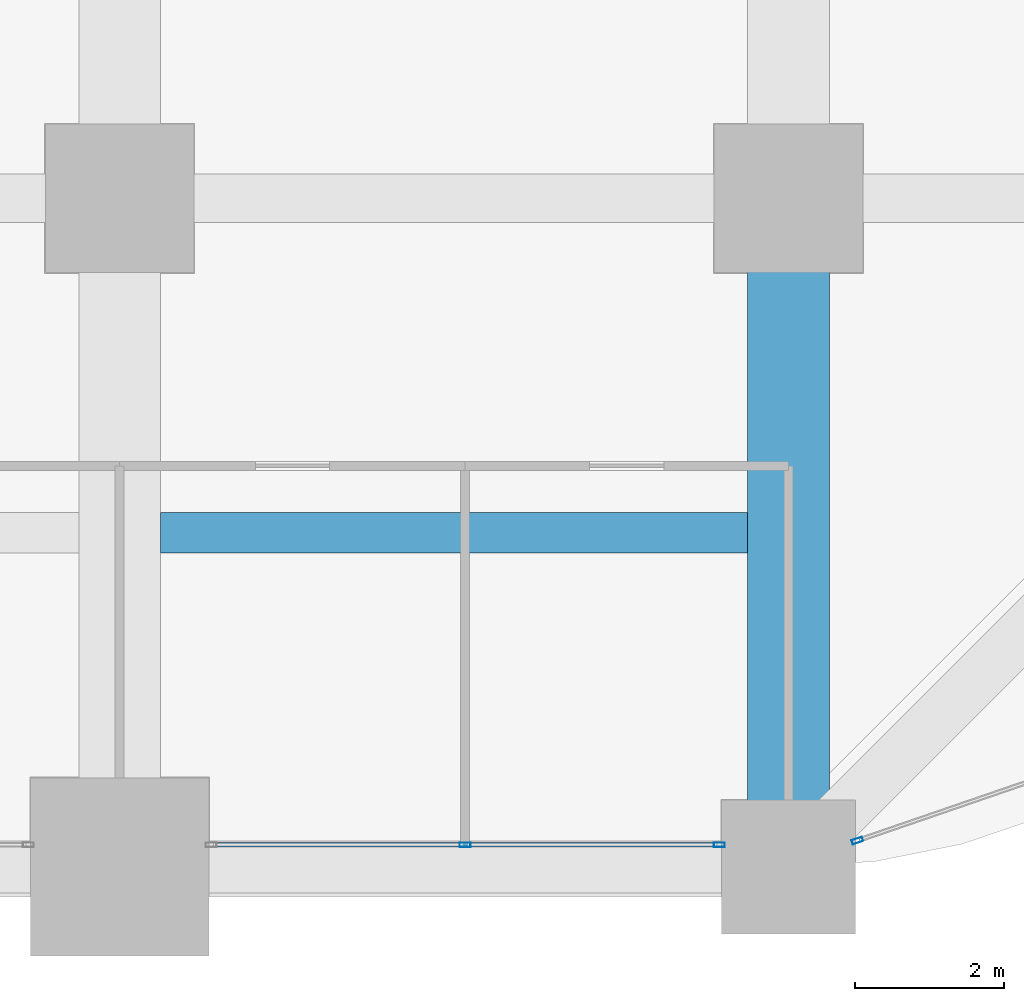
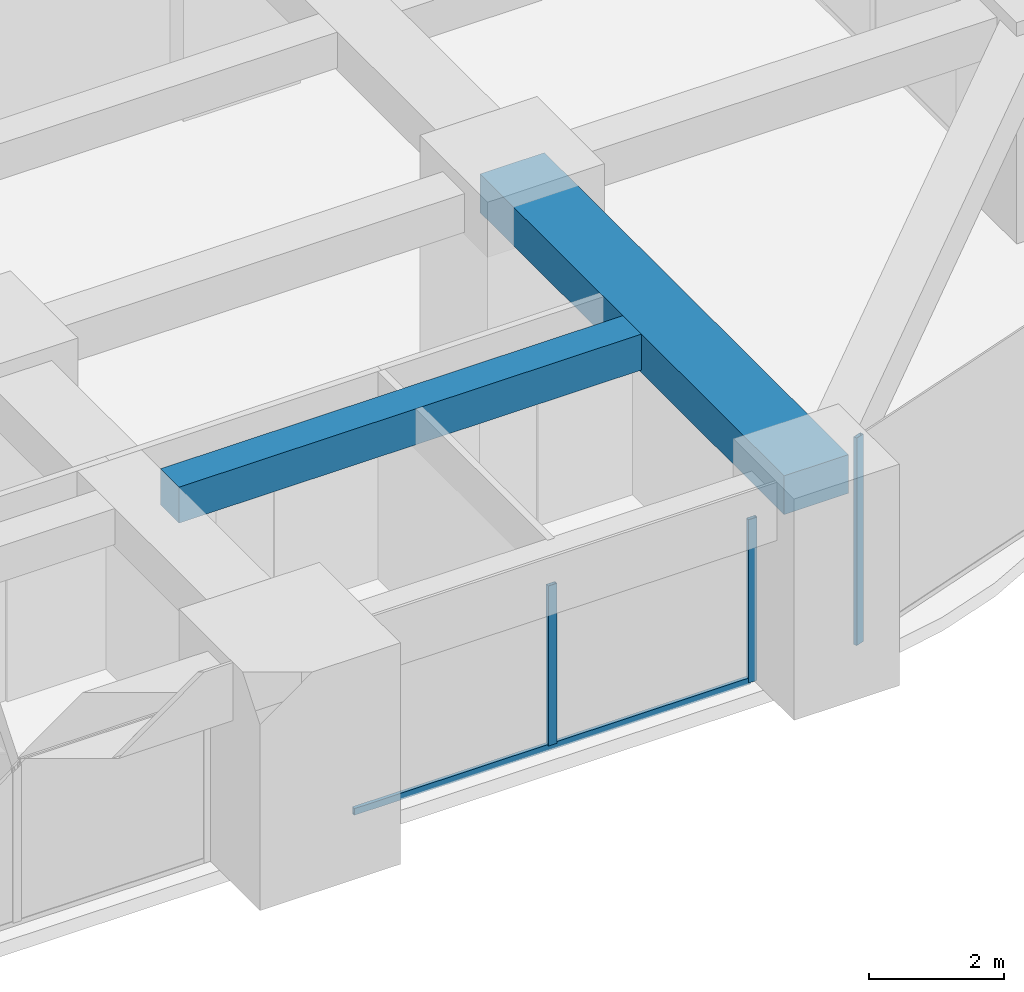
# One storey, part 16 of 41: 4 members, 2 beams, 2 elements without a shape of their own.
"""IFC4 building model written with IfcOpenShell, lengths in metres."""

from ifc_helpers import new_model, si_unit, direction, frame, origin, origin_2d, place, context, subcontext, project, spatial, rectangle, hollow_rectangle, extrude, material, material_profile, profile_set, type_object, element, aggregate, save


model = new_model("IFC4")

# Units and contexts
model_context = context("Model", 3, precision=1e-05, world=origin(), true_north=direction((0.0, 1.0)))
body_context = subcontext(model_context, "Body", "Model", "MODEL_VIEW")
ifc_project = project(units=[si_unit("LENGTHUNIT", "METRE"), si_unit("AREAUNIT", "SQUARE_METRE"), si_unit("VOLUMEUNIT", "CUBIC_METRE"), si_unit("PLANEANGLEUNIT", "RADIAN"), si_unit("MASSUNIT", "GRAM", prefix="KILO")], contexts=[model_context])

# Site, building, storey
site_placement = place(None, origin())
site = spatial("IfcSite", under=ifc_project, at=site_placement, CompositionType="ELEMENT")
building_placement = place(site_placement, origin())
building = spatial("IfcBuilding", under=site, at=building_placement, Name="Zorevar Civic Tower", CompositionType="ELEMENT")
storey_placement = place(building_placement, frame((0.0, 0.0, 105.0)))
storey = spatial("IfcBuildingStorey", under=building, at=storey_placement, Name="L25", CompositionType="ELEMENT", Elevation=105.0)

# Beams
ifc_material_1 = material(Name="Concrete C50/60", Category="concrete")
ifc_material_profile_1 = material_profile(ifc_material_1, rectangle(XDim=1.10009765625, YDim=0.699951171875, at=origin_2d()), Name="RC 1100x700")
ifc_profile_set_1 = profile_set([ifc_material_profile_1], Name="Concrete C50/60")
beam_type_1 = type_object("IfcBeamType", Name="Beam RC 1100x700", PredefinedType="BEAM", material=ifc_profile_set_1)
beam_1_placement = place(storey_placement, frame((54.0, 0.0, 3.39990234375), z_axis=(0.0, 1.0, 0.0), x_axis=(-1.0, 0.0, 0.0)))
element("IfcBeam", 1, at=beam_1_placement, inside=storey, type_object=beam_type_1, Name="Girder L26", PredefinedType="BEAM", context=body_context, shape_type="SweptSolid", body=[
    extrude(rectangle(XDim=1.10009765625, YDim=0.699951171875, at=origin_2d()), origin(), (0.0, 0.0, 1.0), 9.0),
])
ifc_material_2 = material(Name="Concrete C50/60", Category="concrete")
ifc_material_profile_2 = material_profile(ifc_material_2, rectangle(XDim=0.550048828125, YDim=0.64990234375, at=origin_2d()), Name="RC 550x650")
ifc_profile_set_2 = profile_set([ifc_material_profile_2], Name="Concrete C50/60")
beam_type_2 = type_object("IfcBeamType", Name="Beam RC 550x650", PredefinedType="BEAM", material=ifc_profile_set_2)
beam_2_placement = place(storey_placement, frame((45.550048828125, 4.5, 3.425048828125), z_axis=(1.0, 0.0, 0.0), x_axis=(0.0, 1.0, 0.0)))
element("IfcBeam", 2, at=beam_2_placement, inside=storey, type_object=beam_type_2, Name="Secondary beam L26", PredefinedType="BEAM", context=body_context, shape_type="SweptSolid", body=[
    extrude(rectangle(XDim=0.550048828125, YDim=0.64990234375, at=origin_2d()), origin(), (0.0, 0.0, 1.0), 7.89990234375),
])

# Curtain wall, members
ifc_material_3 = material(Name="Dark grey solar-control glass in black aluminium frame", Category="aluminium")
curtain_wall_type = type_object("IfcCurtainWallType", Name="Curtain wall CW3 mid zone", PredefinedType="NOTDEFINED", material=ifc_material_3)
curtain_wall_1_placement = place(storey_placement, origin())
curtain_wall_1 = element("IfcCurtainWall", 3, at=curtain_wall_1_placement, inside=storey, type_object=curtain_wall_type, Name="CW3 L25", PredefinedType="NOTDEFINED")
ifc_material_4 = material(Name="Aluminium, black anodised", Category="aluminium")
ifc_material_profile_3 = material_profile(ifc_material_4, hollow_rectangle(XDim=0.06005859375, YDim=0.14990234375, WallThickness=0.00390625, at=origin_2d()), Name="AL 150x60x4")
ifc_profile_set_3 = profile_set([ifc_material_profile_3], Name="Aluminium, black anodised")
member_type_1 = type_object("IfcMemberType", Name="CW3 mullion AL 150x60x4", PredefinedType="MULLION", material=ifc_profile_set_3)
member_1_placement = place(storey_placement, frame((49.64990234375, 0.300048828125, 0.06005859375), z_axis=(0.0, 0.0, 1.0), x_axis=(0.0, 1.0, 0.0)))
member_1 = element("IfcMember", 4, at=member_1_placement, type_object=member_type_1, Name="CW3 mullion 2", PredefinedType="MULLION", context=body_context, shape_type="SweptSolid", body=[
    extrude(hollow_rectangle(XDim=0.06005859375, YDim=0.14990234375, WallThickness=0.00390625, at=origin_2d()), origin(), (0.0, 0.0, 1.0), 2.889892578125),
])
member_2_placement = place(storey_placement, frame((53.070068359375, 0.300048828125, 0.0), z_axis=(0.0, 0.0, 1.0), x_axis=(0.0, 1.0, 0.0)))
member_2 = element("IfcMember", 5, at=member_2_placement, type_object=member_type_1, Name="CW3 mullion 3", PredefinedType="MULLION", context=body_context, shape_type="SweptSolid", body=[
    extrude(hollow_rectangle(XDim=0.06005859375, YDim=0.14990234375, WallThickness=0.00390625, at=origin_2d()), origin(), (0.0, 0.0, 1.0), 2.949951171875),
])

# Curtain wall, member
curtain_wall_2_placement = place(storey_placement, origin())
curtain_wall_2 = element("IfcCurtainWall", 6, at=curtain_wall_2_placement, inside=storey, type_object=curtain_wall_type, Name="CW3 L25", PredefinedType="NOTDEFINED")
member_3_placement = place(storey_placement, frame((54.928466796875, 0.3564453125, 0.0), z_axis=(0.0, 0.0, 1.0), x_axis=(-0.324878466857, 0.945755772794, 0.0)))
member_3 = element("IfcMember", 7, at=member_3_placement, type_object=member_type_1, Name="CW3 mullion 1", PredefinedType="MULLION", context=body_context, shape_type="SweptSolid", body=[
    extrude(hollow_rectangle(XDim=0.06005859375, YDim=0.14990234375, WallThickness=0.00390625, at=origin_2d()), origin(), (0.0, 0.0, 1.0), 3.75),
])
aggregate(curtain_wall_2, [member_3])

# Member
ifc_material_5 = material(Name="Aluminium, black anodised", Category="aluminium")
ifc_material_profile_4 = material_profile(ifc_material_5, hollow_rectangle(XDim=0.06005859375, YDim=0.1201171875, WallThickness=0.0029296875, at=origin_2d()), Name="AL 120x60x3")
ifc_profile_set_4 = profile_set([ifc_material_profile_4], Name="Aluminium, black anodised")
member_type_2 = type_object("IfcMemberType", Name="CW3 transom AL 120x60x3", PredefinedType="USERDEFINED", material=ifc_profile_set_4)
member_4_placement = place(storey_placement, frame((46.260009765625, 0.300048828125, 0.030029296875), z_axis=(1.0, 0.0, 0.0), x_axis=(0.0, 1.0, 0.0)))
member_4 = element("IfcMember", 8, at=member_4_placement, type_object=member_type_2, Name="CW3 sill transom", ObjectType="TRANSOM", PredefinedType="USERDEFINED", context=body_context, shape_type="SweptSolid", body=[
    extrude(hollow_rectangle(XDim=0.06005859375, YDim=0.1201171875, WallThickness=0.0029296875, at=origin_2d()), origin(), (0.0, 0.0, 1.0), 6.780029296875),
])

aggregate(curtain_wall_1, [member_1, member_2, member_4])

save(model, "model.ifc")
